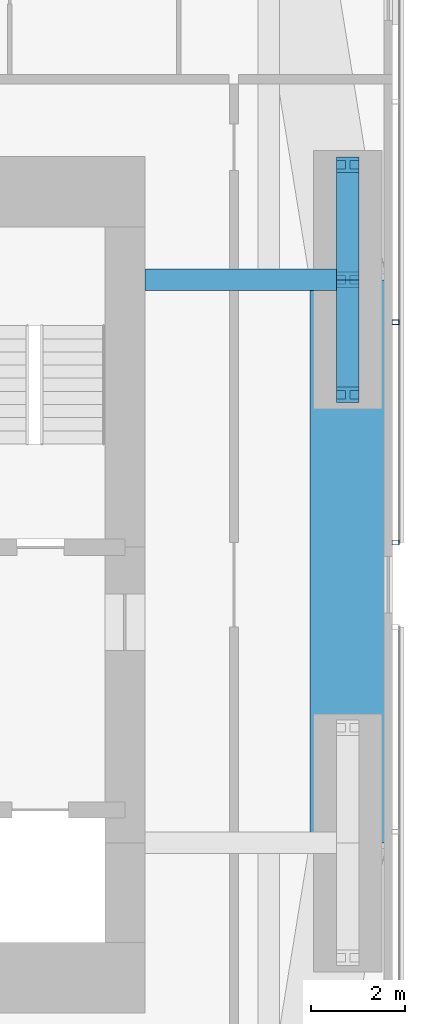
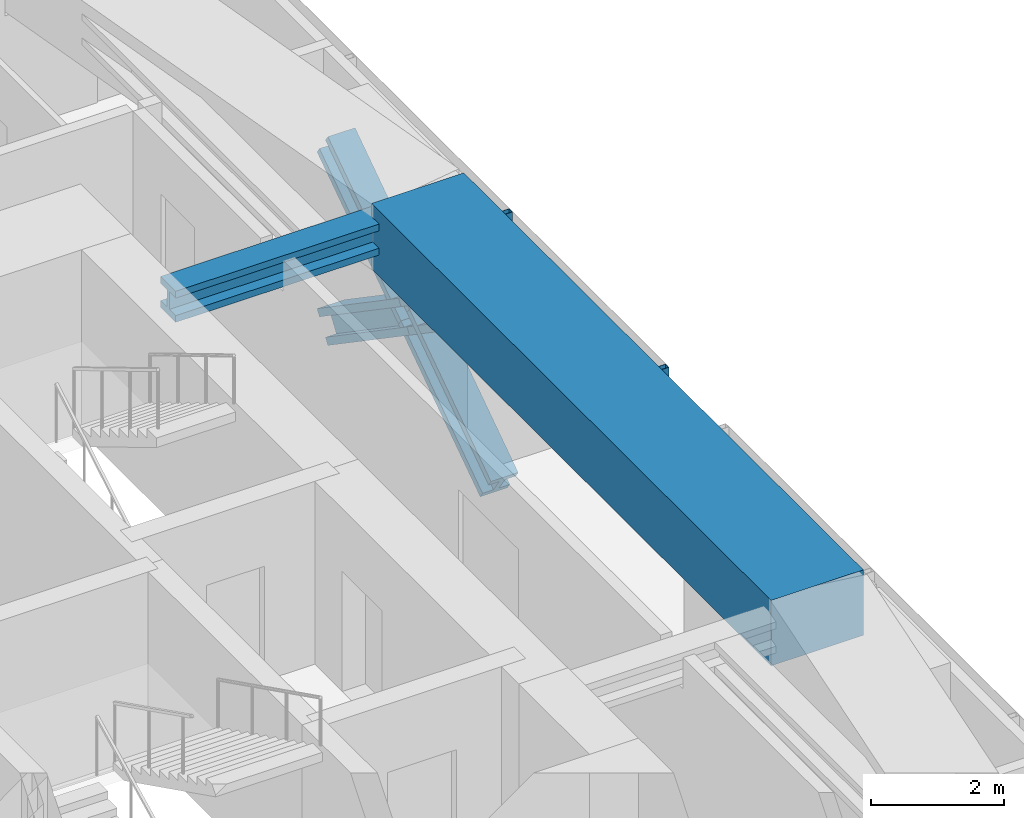
# One storey, part 10 of 24: 6 members, 2 beams, 1 element without a shape of its own.
"""IFC4 building model written with IfcOpenShell, lengths in metres."""

from ifc_helpers import new_model, si_unit, direction, frame, origin, origin_2d, place, context, subcontext, project, spatial, rectangle, hollow_rectangle, i_section, extrude, material, material_profile, profile_set, type_object, element, aggregate, save


model = new_model("IFC4")

# Units and contexts
model_context = context("Model", 3, precision=1e-05, world=origin(), true_north=direction((0.0, 1.0)))
body_context = subcontext(model_context, "Body", "Model", "MODEL_VIEW")
ifc_project = project(units=[si_unit("LENGTHUNIT", "METRE"), si_unit("AREAUNIT", "SQUARE_METRE"), si_unit("VOLUMEUNIT", "CUBIC_METRE"), si_unit("PLANEANGLEUNIT", "RADIAN"), si_unit("MASSUNIT", "GRAM", prefix="KILO")], contexts=[model_context])

# Site, building, storey
site_placement = place(None, origin())
site = spatial("IfcSite", under=ifc_project, at=site_placement, CompositionType="ELEMENT")
building_placement = place(site_placement, origin())
building = spatial("IfcBuilding", under=site, at=building_placement, Name="Jalousie Tower", CompositionType="ELEMENT")
storey_placement = place(building_placement, frame((0.0, 0.0, 128.300048828125)))
storey = spatial("IfcBuildingStorey", under=building, at=storey_placement, Name="L35", CompositionType="ELEMENT", Elevation=128.300048828125)

# Beam
ifc_material_1 = material(Name="Steel ASTM A992 Grade 50", Category="steel")
ifc_material_profile_1 = material_profile(ifc_material_1, i_section(OverallWidth=0.45458984375, OverallDepth=0.569091796875, WebThickness=0.077880859375, FlangeThickness=0.124755859375, at=origin_2d()), Name="W14X730")
ifc_profile_set_1 = profile_set([ifc_material_profile_1], Name="Steel ASTM A992 Grade 50")
beam_type_1 = type_object("IfcBeamType", Name="LEAN COLLECTOR W14X730", PredefinedType="BEAM", material=ifc_profile_set_1)
beam_1_placement = place(storey_placement, frame((48.550048828125, 25.0, 2.825439453125), z_axis=(-1.0, 0.0, 0.0), x_axis=(0.0, -1.0, 0.0)))
element("IfcBeam", 1, at=beam_1_placement, inside=storey, type_object=beam_type_1, Name="Lean collector under L36", PredefinedType="BEAM", context=body_context, shape_type="SweptSolid", body=[
    extrude(i_section(OverallWidth=0.45458984375, OverallDepth=0.569091796875, WebThickness=0.077880859375, FlangeThickness=0.124755859375, at=origin_2d()), origin(), (0.0, 0.0, 1.0), 4.324951171875),
])

# Members
ifc_material_2 = material(Name="Steel ASTM A992 Grade 50", Category="steel")
ifc_material_profile_2 = material_profile(ifc_material_2, i_section(OverallWidth=0.472412109375, OverallDepth=0.5791015625, WebThickness=0.094970703125, FlangeThickness=0.1298828125, at=origin_2d()), Name="W14X808")
ifc_profile_set_2 = profile_set([ifc_material_profile_2], Name="Steel ASTM A992 Grade 50")
member_type_1 = type_object("IfcMemberType", Name="PERIMETER BRACE W14X808", PredefinedType="BRACE", material=ifc_profile_set_2)
for number, where, z_axis, x_axis, name in (
    (2, (48.550048828125, 22.550048828125, -0.60009765625), (0.0, 0.825500916831, 0.564400776321), (-1.0, 0.0, 0.0), "Perimeter brace 07 L35 part 1"),
    (3, (48.550048828125, 25.0, 1.074951171875), (0.0, 0.825500916831, 0.564400776321), (-1.0, 0.0, 0.0), "Perimeter brace 07 L35 part 2"),
    (4, (48.550048828125, 27.449951171875, -0.60009765625), (0.0, -0.825500916831, 0.564400776321), (1.0, 0.0, 0.0), "Perimeter brace 07 L35 part 3"),
    (5, (48.550048828125, 25.0, 1.074951171875), (0.0, -0.825500916831, 0.564400776321), (1.0, 0.0, 0.0), "Perimeter brace 07 L35 part 4"),
):
    element("IfcMember", number, at=place(storey_placement, frame(where, z_axis=z_axis, x_axis=x_axis)), inside=storey, type_object=member_type_1, Name=name, PredefinedType="BRACE", context=body_context, shape_type="SweptSolid", body=[
        extrude(i_section(OverallWidth=0.472412109375, OverallDepth=0.5791015625, WebThickness=0.094970703125, FlangeThickness=0.1298828125, at=origin_2d()), origin(), (0.0, 0.0, 1.0), 2.9677734375),
    ])

# Beam
ifc_material_3 = material(Name="Concrete f'c 40 MPa", Category="concrete")
ifc_material_profile_3 = material_profile(ifc_material_3, rectangle(XDim=1.60009765625, YDim=1.199951171875, at=origin_2d()), Name="RC 1600x1200")
ifc_profile_set_3 = profile_set([ifc_material_profile_3], Name="Concrete f'c 40 MPa")
beam_type_2 = type_object("IfcBeamType", Name="RC BEAM 1600x1200", PredefinedType="BEAM", material=ifc_profile_set_3)
beam_2_placement = place(storey_placement, frame((48.550048828125, 13.0, 2.75), z_axis=(0.0, 1.0, 0.0), x_axis=(-1.0, 0.0, 0.0)))
element("IfcBeam", 6, at=beam_2_placement, inside=storey, type_object=beam_type_2, Name="Edge band beam 06-07 under L36", PredefinedType="BEAM", context=body_context, shape_type="SweptSolid", body=[
    extrude(rectangle(XDim=1.60009765625, YDim=1.199951171875, at=origin_2d()), origin(), (0.0, 0.0, 1.0), 12.0),
])

# Curtain wall, members
ifc_material_4 = material(Name="Perforated aluminium sheet", Category="aluminium")
curtain_wall_type = type_object("IfcCurtainWallType", Name="SOLAR SCREEN SS-1", PredefinedType="USERDEFINED", material=ifc_material_4)
curtain_wall_placement = place(storey_placement, origin())
curtain_wall = element("IfcCurtainWall", 7, at=curtain_wall_placement, inside=storey, type_object=curtain_wall_type, Name="Solar screen L35", ObjectType="SOLAR SCREEN SS-1", PredefinedType="USERDEFINED")
ifc_material_5 = material(Name="Steel ASTM A500 Grade C", Category="steel")
ifc_material_profile_4 = material_profile(ifc_material_5, hollow_rectangle(XDim=0.1015625, YDim=0.15234375, WallThickness=0.00634765625, at=origin_2d()), Name="HSS6X4X1/4")
ifc_profile_set_4 = profile_set([ifc_material_profile_4], Name="Steel ASTM A500 Grade C")
member_type_2 = type_object("IfcMemberType", Name="SOLAR SCREEN SS-1 MULLION", PredefinedType="MULLION", material=ifc_profile_set_4)
member_1_placement = place(storey_placement, frame((49.5712890625, 19.39990234375, -0.1201171875), z_axis=(0.0, 0.0, 1.0), x_axis=(0.0, 1.0, 0.0)))
member_1 = element("IfcMember", 8, at=member_1_placement, type_object=member_type_2, Name="SS1 post 1", PredefinedType="MULLION", context=body_context, shape_type="SweptSolid", body=[
    extrude(hollow_rectangle(XDim=0.1015625, YDim=0.15234375, WallThickness=0.00634765625, at=origin_2d()), origin(), (0.0, 0.0, 1.0), 3.22998046875),
])
member_2_placement = place(storey_placement, frame((49.5712890625, 24.095458984375, -0.1201171875), z_axis=(0.0, 0.0, 1.0), x_axis=(0.0, 1.0, 0.0)))
member_2 = element("IfcMember", 9, at=member_2_placement, type_object=member_type_2, Name="SS1 post 2", PredefinedType="MULLION", context=body_context, shape_type="SweptSolid", body=[
    extrude(hollow_rectangle(XDim=0.1015625, YDim=0.15234375, WallThickness=0.00634765625, at=origin_2d()), origin(), (0.0, 0.0, 1.0), 3.22998046875),
])
aggregate(curtain_wall, [member_1, member_2])

save(model, "model.ifc")
